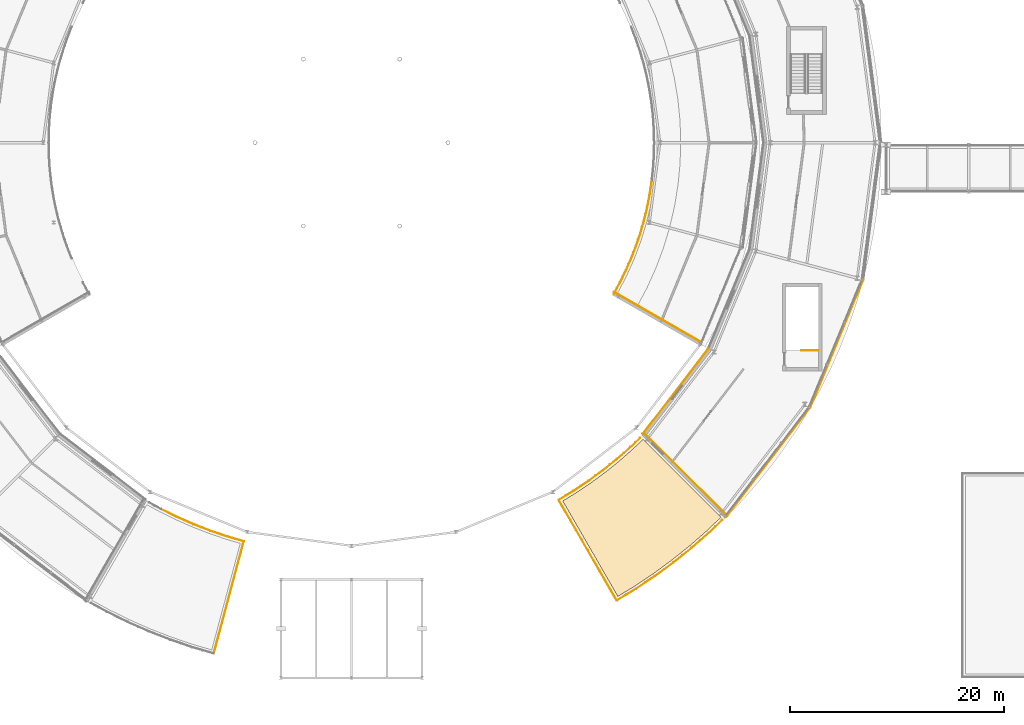
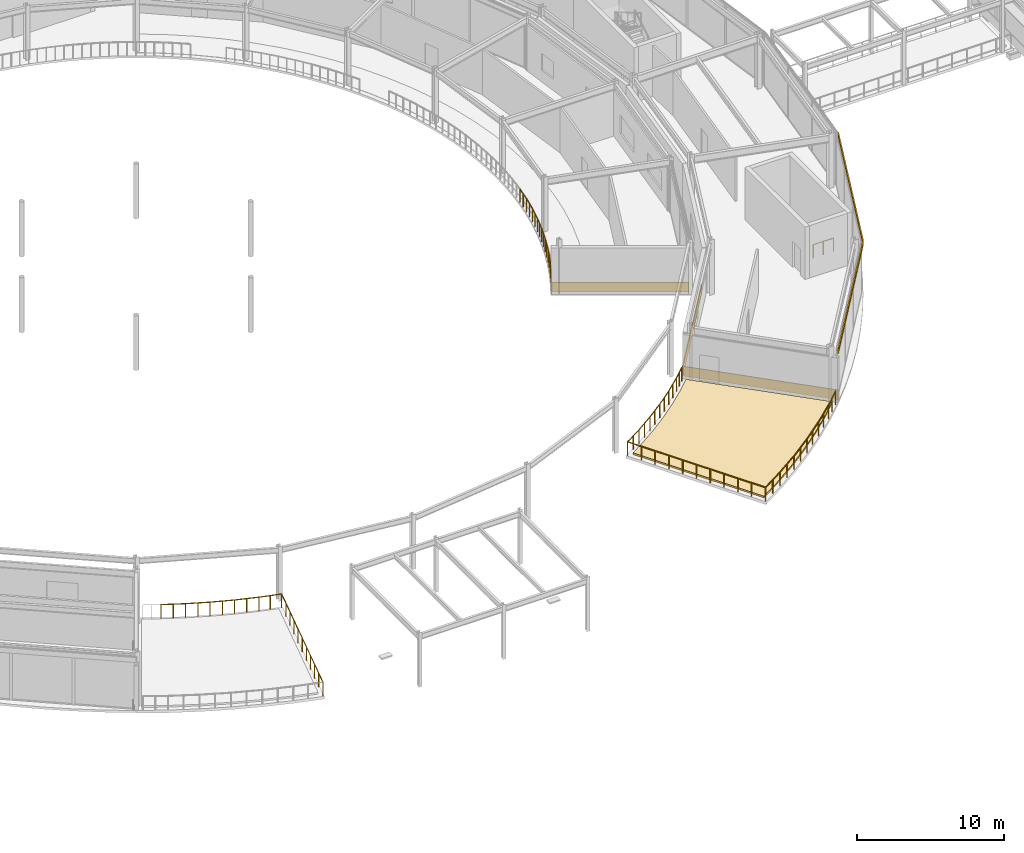
# One storey, part 139 of 157: 29 railings, 6 coverings.
"""IFC4 building model written with IfcOpenShell, lengths in metres."""

from ifc_helpers import new_model, si_unit, direction, frame, origin, origin_2d, place, context, subcontext, project, spatial, polyline, rectangle, circle, outline, extrude, material, layer, layer_set, type_object, element, save


model = new_model("IFC4")

# Units and contexts
model_context = context("Model", 3, precision=1e-05, world=origin(), true_north=direction((0.0, 1.0)))
body_context = subcontext(model_context, "Body", "Model", "MODEL_VIEW")
ifc_project = project(units=[si_unit("LENGTHUNIT", "METRE"), si_unit("AREAUNIT", "SQUARE_METRE"), si_unit("VOLUMEUNIT", "CUBIC_METRE"), si_unit("PLANEANGLEUNIT", "RADIAN"), si_unit("MASSUNIT", "GRAM", prefix="KILO")], contexts=[model_context])

# Site, building, storey
site_placement = place(None, origin())
site = spatial("IfcSite", under=ifc_project, at=site_placement, CompositionType="ELEMENT")
building_placement = place(site_placement, origin())
building = spatial("IfcBuilding", under=site, at=building_placement, Name="Almandine Court Research Institute", CompositionType="ELEMENT")
storey_placement = place(building_placement, frame((0.0, 0.0, 5.25)))
storey = spatial("IfcBuildingStorey", under=building, at=storey_placement, Name="L01", CompositionType="ELEMENT", Elevation=5.25)

# Coverings
ifc_material_1 = material(Name="Honed Andean Red-Buff Sandstone Cladding", Category="masonry")
ifc_layer_1 = layer(ifc_material_1, 0.06494140625)
ifc_layer_set_1 = layer_set([ifc_layer_1], Name="Honed Andean Red-Buff Sandstone Cladding")
covering_type_1 = type_object("IfcCoveringType", Name="Cov-CLAD-SAND", PredefinedType="CLADDING", material=ifc_layer_set_1)
covering_1_placement = place(storey_placement, frame((117.27001953125, 32.77294921875, 0.02001953125), z_axis=(0.0, 0.0, 1.0), x_axis=(0.608761429009, 0.793353340291, 0.0)))
element("IfcCovering", 1, at=covering_1_placement, inside=storey, type_object=covering_type_1, Name="L01 Facade Spandrel Cladding Band 297", PredefinedType="CLADDING", context=body_context, shape_type="SweptSolid", body=[
    extrude(rectangle(XDim=10.080078125, YDim=0.06494140625, at=origin_2d()), origin(), (0.0, 0.0, 1.0), 0.800048828125),
])
covering_2_placement = place(storey_placement, frame((118.237060546875, 25.010986328125, 0.02001953125), z_axis=(0.0, 0.0, 1.0), x_axis=(0.707106781187, -0.707106781187, 0.0)))
element("IfcCovering", 2, at=covering_2_placement, inside=storey, type_object=covering_type_1, Name="L01 Facade Spandrel Cladding Band 334", PredefinedType="CLADDING", context=body_context, shape_type="SweptSolid", body=[
    extrude(rectangle(XDim=10.951904296875, YDim=0.06494140625, at=origin_2d()), origin(), (0.0, 0.0, 1.0), 0.800048828125),
])
covering_3_placement = place(storey_placement, frame((115.60205078125, 39.68896484375, 0.02001953125), z_axis=(0.0, 0.0, 1.0), x_axis=(0.866025403784, -0.5, 0.0)))
element("IfcCovering", 3, at=covering_3_placement, inside=storey, type_object=covering_type_1, Name="L01 Facade Spandrel Cladding Band 452", PredefinedType="CLADDING", context=body_context, shape_type="SweptSolid", body=[
    extrude(rectangle(XDim=9.402099609375, YDim=0.06494140625, at=origin_2d()), origin(), (0.0, 0.0, 1.0), 0.800048828125),
])
ifc_material_2 = material(Name="Extruded Cream-Ochre Seismic Terracotta Spandrel", Category="masonry")
ifc_layer_2 = layer(ifc_material_2, 0.054931640625)
ifc_layer_set_2 = layer_set([ifc_layer_2], Name="Extruded Cream-Ochre Seismic Terracotta Spandrel")
covering_type_2 = type_object("IfcCoveringType", Name="Cov-CLAD-TERR", PredefinedType="CLADDING", material=ifc_layer_set_2)
for number, where, z_axis, x_axis, name in (
    (4, (125.919921875, 26.135009765625, 3.97998046875), (0.0, 0.0, 1.0), (-0.608761429009, -0.793353340291, 0.0), "L01 Drum Stacked Terracotta Ring Band 21"),
    (5, (132.323974609375, 37.22607421875, 3.97998046875), (0.0, 0.0, 1.0), (-0.382683432365, -0.923879532511, 0.0), "L01 Drum Stacked Terracotta Ring Band 22"),
):
    element("IfcCovering", number, at=place(storey_placement, frame(where, z_axis=z_axis, x_axis=x_axis)), inside=storey, type_object=covering_type_2, Name=name, PredefinedType="CLADDING", context=body_context, shape_type="SweptSolid", body=[
        extrude(rectangle(XDim=12.8779296875, YDim=0.054931640625, at=origin_2d()), origin(), (0.0, 0.0, 1.0), 0.419921875),
    ])
ifc_material_3 = material(Name="Extensive Andean Sedum Planted Green Roof Build-Up")
ifc_layer_3 = layer(ifc_material_3, 0.139892578125)
ifc_layer_set_3 = layer_set([ifc_layer_3], Name="Extensive Andean Sedum Planted Green Roof Build-Up")
covering_type_3 = type_object("IfcCoveringType", Name="Cov-ROOF-GREEN", PredefinedType="ROOFING", material=ifc_layer_set_3)
covering_4_placement = place(storey_placement, origin())
element("IfcCovering", 6, at=covering_4_placement, inside=storey, type_object=covering_type_3, Name="L01 Planted Green Roof Covering 10", PredefinedType="ROOFING", context=body_context, shape_type="SweptSolid", body=[
    extrude(outline(polyline([(111.8740234375, 13.616943359375), (106.72412109375, 22.535888671875), (107.8740234375, 23.23388671875), (109.283935546875, 24.176025390625), (110.64990234375, 25.177978515625), (111.971923828125, 26.239013671875), (113.24609375, 27.35693359375), (114.218994140625, 28.285888671875), (121.501953125, 21.0029296875), (120.2060546875, 19.762939453125), (118.593017578125, 18.34912109375), (116.9208984375, 17.007080078125), (115.19091796875, 15.739013671875), (113.407958984375, 14.547119140625), (111.8740234375, 13.616943359375)])), origin(), (0.0, 0.0, 1.0), 0.139892578125),
])

# Railings
ifc_material_4 = material(Name="Architectural Powder-Coated Aluminium Balustrade", Category="aluminium")
railing_type_1 = type_object("IfcRailingType", Name="Rail-BAL-EXT", PredefinedType="BALUSTRADE", material=ifc_material_4)
railing_1_placement = place(storey_placement, frame((111.778076171875, 13.242919921875, 0.0)))
element("IfcRailing", 7, at=railing_1_placement, inside=storey, type_object=railing_type_1, Name="L01 Terrace Perimeter Balustrade 024", PredefinedType="BALUSTRADE", context=body_context, shape_type="SweptSolid", body=[
    extrude(circle(Radius=0.02392578125, at=origin_2d()), frame((0.0, 0.0, 1.1259765625), z_axis=(-0.500041546612, 0.866001415508, 0.0), x_axis=(-0.866001415508, -0.500041546612, 0.0)), (0.0, 0.0, 1.0), 10.83935546875),
    extrude(circle(Radius=0.02099609375, at=origin_2d()), origin(), (0.0, 0.0, 1.0), 1.101806640625),
    extrude(circle(Radius=0.02099609375, at=origin_2d()), frame((-0.5419921875, 0.938720703125, 0.0)), (0.0, 0.0, 1.0), 1.101806640625),
    extrude(circle(Radius=0.02099609375, at=origin_2d()), frame((-1.083984375, 1.87744140625, 0.0)), (0.0, 0.0, 1.0), 1.101806640625),
    extrude(circle(Radius=0.02099609375, at=origin_2d()), frame((-1.6259765625, 2.816162109375, 0.0)), (0.0, 0.0, 1.0), 1.101806640625),
    extrude(circle(Radius=0.02099609375, at=origin_2d()), frame((-2.16796875, 3.7548828125, 0.0)), (0.0, 0.0, 1.0), 1.101806640625),
    extrude(circle(Radius=0.02099609375, at=origin_2d()), frame((-2.7099609375, 4.693359375, 0.0)), (0.0, 0.0, 1.0), 1.101806640625),
    extrude(circle(Radius=0.02099609375, at=origin_2d()), frame((-3.252197265625, 5.632080078125, 0.0)), (0.0, 0.0, 1.0), 1.101806640625),
    extrude(circle(Radius=0.02099609375, at=origin_2d()), frame((-3.794189453125, 6.57080078125, 0.0)), (0.0, 0.0, 1.0), 1.101806640625),
    extrude(circle(Radius=0.02099609375, at=origin_2d()), frame((-4.336181640625, 7.509521484375, 0.0)), (0.0, 0.0, 1.0), 1.101806640625),
    extrude(circle(Radius=0.02099609375, at=origin_2d()), frame((-4.878173828125, 8.4482421875, 0.0)), (0.0, 0.0, 1.0), 1.101806640625),
    extrude(circle(Radius=0.02099609375, at=origin_2d()), frame((-5.420166015625, 9.386962890625, 0.0)), (0.0, 0.0, 1.0), 1.101806640625),
])
railing_2_placement = place(storey_placement, frame((106.35791015625, 22.6298828125, 0.0)))
element("IfcRailing", 8, at=railing_2_placement, inside=storey, type_object=railing_type_1, Name="L01 Terrace Perimeter Balustrade 025", PredefinedType="BALUSTRADE", context=body_context, shape_type="SweptSolid", body=[
    extrude(circle(Radius=0.02392578125, at=origin_2d()), frame((0.0, 0.0, 1.1259765625), z_axis=(0.854903259764, 0.518787448233, 0.0), x_axis=(-0.518787448233, 0.854903259764, 0.0)), (0.0, 0.0, 1.0), 1.603759765625),
    extrude(circle(Radius=0.02099609375, at=origin_2d()), origin(), (0.0, 0.0, 1.0), 1.101806640625),
    extrude(circle(Radius=0.02099609375, at=origin_2d()), frame((0.685546875, 0.416015625, 0.0)), (0.0, 0.0, 1.0), 1.101806640625),
    extrude(circle(Radius=0.02099609375, at=origin_2d()), frame((1.37109375, 0.83203125, 0.0)), (0.0, 0.0, 1.0), 1.101806640625),
])
railing_3_placement = place(storey_placement, frame((107.72900390625, 23.4619140625, 0.0)))
element("IfcRailing", 9, at=railing_3_placement, inside=storey, type_object=railing_type_1, Name="L01 Terrace Perimeter Balustrade 026", PredefinedType="BALUSTRADE", context=body_context, shape_type="SweptSolid", body=[
    extrude(circle(Radius=0.02392578125, at=origin_2d()), frame((0.0, 0.0, 1.1259765625), z_axis=(0.831559123133, 0.555436247227, 0.0), x_axis=(-0.555436247227, 0.831559123133, 0.0)), (0.0, 0.0, 1.0), 1.683349609375),
    extrude(circle(Radius=0.02099609375, at=origin_2d()), origin(), (0.0, 0.0, 1.0), 1.101806640625),
    extrude(circle(Radius=0.02099609375, at=origin_2d()), frame((0.699951171875, 0.467529296875, 0.0)), (0.0, 0.0, 1.0), 1.101806640625),
    extrude(circle(Radius=0.02099609375, at=origin_2d()), frame((1.39990234375, 0.93505859375, 0.0)), (0.0, 0.0, 1.0), 1.101806640625),
])
railing_4_placement = place(storey_placement, frame((109.12890625, 24.39697265625, 0.0)))
element("IfcRailing", 10, at=railing_4_placement, inside=storey, type_object=railing_type_1, Name="L01 Terrace Perimeter Balustrade 027", PredefinedType="BALUSTRADE", context=body_context, shape_type="SweptSolid", body=[
    extrude(circle(Radius=0.02392578125, at=origin_2d()), frame((0.0, 0.0, 1.1259765625), z_axis=(0.806169797472, 0.591684255025, 0.0), x_axis=(-0.591684255025, 0.806169797472, 0.0)), (0.0, 0.0, 1.0), 1.68359375),
    extrude(circle(Radius=0.02099609375, at=origin_2d()), origin(), (0.0, 0.0, 1.0), 1.101806640625),
    extrude(circle(Radius=0.02099609375, at=origin_2d()), frame((0.6787109375, 0.498046875, 0.0)), (0.0, 0.0, 1.0), 1.101806640625),
    extrude(circle(Radius=0.02099609375, at=origin_2d()), frame((1.357177734375, 0.99609375, 0.0)), (0.0, 0.0, 1.0), 1.101806640625),
])
railing_5_placement = place(storey_placement, frame((110.486083984375, 25.39306640625, 0.0)))
element("IfcRailing", 11, at=railing_5_placement, inside=storey, type_object=railing_type_1, Name="L01 Terrace Perimeter Balustrade 028", PredefinedType="BALUSTRADE", context=body_context, shape_type="SweptSolid", body=[
    extrude(circle(Radius=0.02392578125, at=origin_2d()), frame((0.0, 0.0, 1.1259765625), z_axis=(0.779890929123, 0.625915440512, 0.0), x_axis=(-0.625915440512, 0.779890929123, 0.0)), (0.0, 0.0, 1.0), 1.682373046875),
    extrude(circle(Radius=0.02099609375, at=origin_2d()), origin(), (0.0, 0.0, 1.0), 1.101806640625),
    extrude(circle(Radius=0.02099609375, at=origin_2d()), frame((0.656005859375, 0.5263671875, 0.0)), (0.0, 0.0, 1.0), 1.101806640625),
    extrude(circle(Radius=0.02099609375, at=origin_2d()), frame((1.31201171875, 1.052978515625, 0.0)), (0.0, 0.0, 1.0), 1.101806640625),
])
railing_6_placement = place(storey_placement, frame((111.798095703125, 26.446044921875, 0.0)))
element("IfcRailing", 12, at=railing_6_placement, inside=storey, type_object=railing_type_1, Name="L01 Terrace Perimeter Balustrade 029", PredefinedType="BALUSTRADE", context=body_context, shape_type="SweptSolid", body=[
    extrude(circle(Radius=0.02392578125, at=origin_2d()), frame((0.0, 0.0, 1.1259765625), z_axis=(0.751920530231, 0.659253757074, 0.0), x_axis=(-0.659253757074, 0.751920530231, 0.0)), (0.0, 0.0, 1.0), 1.68359375),
    extrude(circle(Radius=0.02099609375, at=origin_2d()), origin(), (0.0, 0.0, 1.0), 1.101806640625),
    extrude(circle(Radius=0.02099609375, at=origin_2d()), frame((0.6328125, 0.554931640625, 0.0)), (0.0, 0.0, 1.0), 1.101806640625),
    extrude(circle(Radius=0.02099609375, at=origin_2d()), frame((1.265869140625, 1.10986328125, 0.0)), (0.0, 0.0, 1.0), 1.101806640625),
])
railing_7_placement = place(storey_placement, frame((113.06396484375, 27.555908203125, 0.0)))
element("IfcRailing", 13, at=railing_7_placement, inside=storey, type_object=railing_type_1, Name="L01 Terrace Perimeter Balustrade 030", PredefinedType="BALUSTRADE", context=body_context, shape_type="SweptSolid", body=[
    extrude(circle(Radius=0.02392578125, at=origin_2d()), frame((0.0, 0.0, 1.1259765625), z_axis=(0.72277086017, 0.691087753971, 0.0), x_axis=(-0.691087753971, 0.72277086017, 0.0)), (0.0, 0.0, 1.0), 1.23291015625),
    extrude(circle(Radius=0.02099609375, at=origin_2d()), origin(), (0.0, 0.0, 1.0), 1.101806640625),
    extrude(circle(Radius=0.02099609375, at=origin_2d()), frame((0.445556640625, 0.426025390625, 0.0)), (0.0, 0.0, 1.0), 1.101806640625),
    extrude(circle(Radius=0.02099609375, at=origin_2d()), frame((0.89111328125, 0.85205078125, 0.0)), (0.0, 0.0, 1.0), 1.101806640625),
])
railing_8_placement = place(storey_placement, frame((121.62109375, 20.742919921875, 0.0)))
element("IfcRailing", 14, at=railing_8_placement, inside=storey, type_object=railing_type_1, Name="L01 Terrace Perimeter Balustrade 031", PredefinedType="BALUSTRADE", context=body_context, shape_type="SweptSolid", body=[
    extrude(circle(Radius=0.02392578125, at=origin_2d()), frame((0.0, 0.0, 1.1259765625), z_axis=(-0.722812767445, -0.691043922786, 0.0), x_axis=(0.691043922786, -0.722812767445, 0.0)), (0.0, 0.0, 1.0), 1.7060546875),
    extrude(circle(Radius=0.02099609375, at=origin_2d()), origin(), (0.0, 0.0, 1.0), 1.101806640625),
    extrude(circle(Radius=0.02099609375, at=origin_2d()), frame((-0.61669921875, -0.58935546875, 0.0)), (0.0, 0.0, 1.0), 1.101806640625),
    extrude(circle(Radius=0.02099609375, at=origin_2d()), frame((-1.233154296875, -1.178955078125, 0.0)), (0.0, 0.0, 1.0), 1.101806640625),
])
railing_9_placement = place(storey_placement, frame((120.387939453125, 19.56396484375, 0.0)))
element("IfcRailing", 15, at=railing_9_placement, inside=storey, type_object=railing_type_1, Name="L01 Terrace Perimeter Balustrade 032", PredefinedType="BALUSTRADE", context=body_context, shape_type="SweptSolid", body=[
    extrude(circle(Radius=0.02392578125, at=origin_2d()), frame((0.0, 0.0, 1.1259765625), z_axis=(-0.751741386385, -0.659458025954, 0.0), x_axis=(0.659458025954, -0.751741386385, 0.0)), (0.0, 0.0, 1.0), 2.156005859375),
    extrude(circle(Radius=0.02099609375, at=origin_2d()), origin(), (0.0, 0.0, 1.0), 1.101806640625),
    extrude(circle(Radius=0.02099609375, at=origin_2d()), frame((-0.810546875, -0.7109375, 0.0)), (0.0, 0.0, 1.0), 1.101806640625),
    extrude(circle(Radius=0.02099609375, at=origin_2d()), frame((-1.620849609375, -1.421875, 0.0)), (0.0, 0.0, 1.0), 1.101806640625),
])
railing_10_placement = place(storey_placement, frame((118.76708984375, 18.14208984375, 0.0)))
element("IfcRailing", 16, at=railing_10_placement, inside=storey, type_object=railing_type_1, Name="L01 Terrace Perimeter Balustrade 033", PredefinedType="BALUSTRADE", context=body_context, shape_type="SweptSolid", body=[
    extrude(circle(Radius=0.02392578125, at=origin_2d()), frame((0.0, 0.0, 1.1259765625), z_axis=(-0.779873964339, -0.625936578054, 0.0), x_axis=(0.625936578054, -0.779873964339, 0.0)), (0.0, 0.0, 1.0), 2.156982421875),
    extrude(circle(Radius=0.02099609375, at=origin_2d()), origin(), (0.0, 0.0, 1.0), 1.101806640625),
    extrude(circle(Radius=0.02099609375, at=origin_2d()), frame((-0.841064453125, -0.675048828125, 0.0)), (0.0, 0.0, 1.0), 1.101806640625),
    extrude(circle(Radius=0.02099609375, at=origin_2d()), frame((-1.68212890625, -1.35009765625, 0.0)), (0.0, 0.0, 1.0), 1.101806640625),
])
railing_11_placement = place(storey_placement, frame((117.0849609375, 16.7919921875, 0.0)))
element("IfcRailing", 17, at=railing_11_placement, inside=storey, type_object=railing_type_1, Name="L01 Terrace Perimeter Balustrade 034", PredefinedType="BALUSTRADE", context=body_context, shape_type="SweptSolid", body=[
    extrude(circle(Radius=0.02392578125, at=origin_2d()), frame((0.0, 0.0, 1.1259765625), z_axis=(-0.806703737756, -0.590956072387, 0.0), x_axis=(0.590956072387, -0.806703737756, 0.0)), (0.0, 0.0, 1.0), 2.15576171875),
    extrude(circle(Radius=0.02099609375, at=origin_2d()), origin(), (0.0, 0.0, 1.0), 1.101806640625),
    extrude(circle(Radius=0.02099609375, at=origin_2d()), frame((-0.86962890625, -0.636962890625, 0.0)), (0.0, 0.0, 1.0), 1.101806640625),
    extrude(circle(Radius=0.02099609375, at=origin_2d()), frame((-1.739013671875, -1.27392578125, 0.0)), (0.0, 0.0, 1.0), 1.101806640625),
])
railing_12_placement = place(storey_placement, frame((115.345947265625, 15.51806640625, 0.0)))
element("IfcRailing", 18, at=railing_12_placement, inside=storey, type_object=railing_type_1, Name="L01 Terrace Perimeter Balustrade 035", PredefinedType="BALUSTRADE", context=body_context, shape_type="SweptSolid", body=[
    extrude(circle(Radius=0.02392578125, at=origin_2d()), frame((0.0, 0.0, 1.1259765625), z_axis=(-0.831265842428, -0.555875075186, 0.0), x_axis=(0.555875075186, -0.831265842428, 0.0)), (0.0, 0.0, 1.0), 2.156982421875),
    extrude(circle(Radius=0.02099609375, at=origin_2d()), origin(), (0.0, 0.0, 1.0), 1.101806640625),
    extrude(circle(Radius=0.02099609375, at=origin_2d()), frame((-0.896484375, -0.599609375, 0.0)), (0.0, 0.0, 1.0), 1.101806640625),
    extrude(circle(Radius=0.02099609375, at=origin_2d()), frame((-1.79296875, -1.198974609375, 0.0)), (0.0, 0.0, 1.0), 1.101806640625),
])
railing_13_placement = place(storey_placement, frame((113.552978515625, 14.319091796875, 0.0)))
element("IfcRailing", 19, at=railing_13_placement, inside=storey, type_object=railing_type_1, Name="L01 Terrace Perimeter Balustrade 036", PredefinedType="BALUSTRADE", context=body_context, shape_type="SweptSolid", body=[
    extrude(circle(Radius=0.02392578125, at=origin_2d()), frame((0.0, 0.0, 1.1259765625), z_axis=(-0.855096704819, -0.518468538493, 0.0), x_axis=(0.518468538493, -0.855096704819, 0.0)), (0.0, 0.0, 1.0), 2.07568359375),
    extrude(circle(Radius=0.02099609375, at=origin_2d()), origin(), (0.0, 0.0, 1.0), 1.101806640625),
    extrude(circle(Radius=0.02099609375, at=origin_2d()), frame((-0.887451171875, -0.5380859375, 0.0)), (0.0, 0.0, 1.0), 1.101806640625),
    extrude(circle(Radius=0.02099609375, at=origin_2d()), frame((-1.77490234375, -1.076171875, 0.0)), (0.0, 0.0, 1.0), 1.101806640625),
])
railing_14_placement = place(storey_placement, frame((69.18603515625, 21.779052734375, 0.0)))
element("IfcRailing", 20, at=railing_14_placement, inside=storey, type_object=railing_type_1, Name="L01 Terrace Perimeter Balustrade 038", PredefinedType="BALUSTRADE", context=body_context, shape_type="SweptSolid", body=[
    extrude(circle(Radius=0.02392578125, at=origin_2d()), frame((0.0, 0.0, 1.1259765625), z_axis=(0.89665004033, -0.442739997264, 0.0), x_axis=(0.442739997264, 0.89665004033, 0.0)), (0.0, 0.0, 1.0), 1.682861328125),
    extrude(circle(Radius=0.02099609375, at=origin_2d()), origin(), (0.0, 0.0, 1.0), 1.101806640625),
    extrude(circle(Radius=0.02099609375, at=origin_2d()), frame((0.75439453125, -0.37255859375, 0.0)), (0.0, 0.0, 1.0), 1.101806640625),
    extrude(circle(Radius=0.02099609375, at=origin_2d()), frame((1.509033203125, -0.7451171875, 0.0)), (0.0, 0.0, 1.0), 1.101806640625),
])
railing_15_placement = place(storey_placement, frame((70.695068359375, 21.033935546875, 0.0)))
element("IfcRailing", 21, at=railing_15_placement, inside=storey, type_object=railing_type_1, Name="L01 Terrace Perimeter Balustrade 039", PredefinedType="BALUSTRADE", context=body_context, shape_type="SweptSolid", body=[
    extrude(circle(Radius=0.02392578125, at=origin_2d()), frame((0.0, 0.0, 1.1259765625), z_axis=(0.91554373403, -0.402218437019, 0.0), x_axis=(0.402218437019, 0.91554373403, 0.0)), (0.0, 0.0, 1.0), 1.68310546875),
    extrude(circle(Radius=0.02099609375, at=origin_2d()), origin(), (0.0, 0.0, 1.0), 1.101806640625),
    extrude(circle(Radius=0.02099609375, at=origin_2d()), frame((0.7705078125, -0.33837890625, 0.0)), (0.0, 0.0, 1.0), 1.101806640625),
    extrude(circle(Radius=0.02099609375, at=origin_2d()), frame((1.541015625, -0.677001953125, 0.0)), (0.0, 0.0, 1.0), 1.101806640625),
])
railing_16_placement = place(storey_placement, frame((72.236083984375, 20.35693359375, 0.0)))
element("IfcRailing", 22, at=railing_16_placement, inside=storey, type_object=railing_type_1, Name="L01 Terrace Perimeter Balustrade 040", PredefinedType="BALUSTRADE", context=body_context, shape_type="SweptSolid", body=[
    extrude(circle(Radius=0.02392578125, at=origin_2d()), frame((0.0, 0.0, 1.1259765625), z_axis=(0.93205365917, -0.362320267757, 0.0), x_axis=(0.362320267757, 0.93205365917, 0.0)), (0.0, 0.0, 1.0), 1.68310546875),
    extrude(circle(Radius=0.02099609375, at=origin_2d()), origin(), (0.0, 0.0, 1.0), 1.101806640625),
    extrude(circle(Radius=0.02099609375, at=origin_2d()), frame((0.784423828125, -0.304931640625, 0.0)), (0.0, 0.0, 1.0), 1.101806640625),
    extrude(circle(Radius=0.02099609375, at=origin_2d()), frame((1.56884765625, -0.60986328125, 0.0)), (0.0, 0.0, 1.0), 1.101806640625),
])
railing_17_placement = place(storey_placement, frame((73.804931640625, 19.7470703125, 0.0)))
element("IfcRailing", 23, at=railing_17_placement, inside=storey, type_object=railing_type_1, Name="L01 Terrace Perimeter Balustrade 041", PredefinedType="BALUSTRADE", context=body_context, shape_type="SweptSolid", body=[
    extrude(circle(Radius=0.02392578125, at=origin_2d()), frame((0.0, 0.0, 1.1259765625), z_axis=(0.94694323381, -0.32140085865, 0.0), x_axis=(0.32140085865, 0.94694323381, 0.0)), (0.0, 0.0, 1.0), 1.683349609375),
    extrude(circle(Radius=0.02099609375, at=origin_2d()), origin(), (0.0, 0.0, 1.0), 1.101806640625),
    extrude(circle(Radius=0.02099609375, at=origin_2d()), frame((0.796875, -0.2705078125, 0.0)), (0.0, 0.0, 1.0), 1.101806640625),
    extrude(circle(Radius=0.02099609375, at=origin_2d()), frame((1.593994140625, -0.541015625, 0.0)), (0.0, 0.0, 1.0), 1.101806640625),
])
railing_18_placement = place(storey_placement, frame((75.39892578125, 19.2060546875, 0.0)))
element("IfcRailing", 24, at=railing_18_placement, inside=storey, type_object=railing_type_1, Name="L01 Terrace Perimeter Balustrade 042", PredefinedType="BALUSTRADE", context=body_context, shape_type="SweptSolid", body=[
    extrude(circle(Radius=0.02392578125, at=origin_2d()), frame((0.0, 0.0, 1.1259765625), z_axis=(0.959938540825, -0.280210631203, 0.0), x_axis=(0.280210631203, 0.959938540825, 0.0)), (0.0, 0.0, 1.0), 1.602294921875),
    extrude(circle(Radius=0.02099609375, at=origin_2d()), origin(), (0.0, 0.0, 1.0), 1.101806640625),
    extrude(circle(Radius=0.02099609375, at=origin_2d()), frame((0.76904296875, -0.224609375, 0.0)), (0.0, 0.0, 1.0), 1.101806640625),
    extrude(circle(Radius=0.02099609375, at=origin_2d()), frame((1.5380859375, -0.448974609375, 0.0)), (0.0, 0.0, 1.0), 1.101806640625),
])
railing_19_placement = place(storey_placement, frame((76.93701171875, 18.757080078125, 0.0)))
element("IfcRailing", 25, at=railing_19_placement, inside=storey, type_object=railing_type_1, Name="L01 Terrace Perimeter Balustrade 043", PredefinedType="BALUSTRADE", context=body_context, shape_type="SweptSolid", body=[
    extrude(circle(Radius=0.02392578125, at=origin_2d()), frame((0.0, 0.0, 1.1259765625), z_axis=(-0.258776991221, -0.965937093612, 0.0), x_axis=(0.965937093612, -0.258776991221, 0.0)), (0.0, 0.0, 1.0), 10.839111328125),
    extrude(circle(Radius=0.02099609375, at=origin_2d()), origin(), (0.0, 0.0, 1.0), 1.101806640625),
    extrude(circle(Radius=0.02099609375, at=origin_2d()), frame((-0.280517578125, -1.046875, 0.0)), (0.0, 0.0, 1.0), 1.101806640625),
    extrude(circle(Radius=0.02099609375, at=origin_2d()), frame((-0.56103515625, -2.093994140625, 0.0)), (0.0, 0.0, 1.0), 1.101806640625),
    extrude(circle(Radius=0.02099609375, at=origin_2d()), frame((-0.841552734375, -3.14111328125, 0.0)), (0.0, 0.0, 1.0), 1.101806640625),
    extrude(circle(Radius=0.02099609375, at=origin_2d()), frame((-1.1220703125, -4.18798828125, 0.0)), (0.0, 0.0, 1.0), 1.101806640625),
    extrude(circle(Radius=0.02099609375, at=origin_2d()), frame((-1.40234375, -5.23486328125, 0.0)), (0.0, 0.0, 1.0), 1.101806640625),
    extrude(circle(Radius=0.02099609375, at=origin_2d()), frame((-1.682861328125, -6.281982421875, 0.0)), (0.0, 0.0, 1.0), 1.101806640625),
    extrude(circle(Radius=0.02099609375, at=origin_2d()), frame((-1.96337890625, -7.328857421875, 0.0)), (0.0, 0.0, 1.0), 1.101806640625),
    extrude(circle(Radius=0.02099609375, at=origin_2d()), frame((-2.243896484375, -8.3759765625, 0.0)), (0.0, 0.0, 1.0), 1.101806640625),
    extrude(circle(Radius=0.02099609375, at=origin_2d()), frame((-2.5244140625, -9.4228515625, 0.0)), (0.0, 0.0, 1.0), 1.101806640625),
    extrude(circle(Radius=0.02099609375, at=origin_2d()), frame((-2.804931640625, -10.469970703125, 0.0)), (0.0, 0.0, 1.0), 1.101806640625),
])
ifc_material_5 = material(Name="Powder-Coated Steel Stair and Atrium Balustrade", Category="steel")
railing_type_2 = type_object("IfcRailingType", Name="Rail-GUARD-INT", PredefinedType="BALUSTRADE", material=ifc_material_5)
railing_20_placement = place(storey_placement, frame((130.60009765625, 36.60009765625, 0.0)))
element("IfcRailing", 26, at=railing_20_placement, inside=storey, type_object=railing_type_2, Name="L01 ST-16 top well guard 1", PredefinedType="BALUSTRADE", context=body_context, shape_type="SweptSolid", body=[
    extrude(circle(Radius=0.02392578125, at=origin_2d()), frame((0.0, 0.0, 1.09619140625), z_axis=(-1.0, 0.0, 0.0), x_axis=(0.0, -1.0, 0.0)), (0.0, 0.0, 1.0), 1.580078125),
    extrude(circle(Radius=0.02099609375, at=origin_2d()), origin(), (0.0, 0.0, 1.0), 1.072021484375),
    extrude(circle(Radius=0.02099609375, at=origin_2d()), frame((-0.7900390625, 0.0, 0.0)), (0.0, 0.0, 1.0), 1.072021484375),
    extrude(circle(Radius=0.02099609375, at=origin_2d()), frame((-1.580078125, 0.0, 0.0)), (0.0, 0.0, 1.0), 1.072021484375),
])
railing_21_placement = place(storey_placement, frame((111.490966796875, 41.860107421875, 0.0)))
element("IfcRailing", 27, at=railing_21_placement, inside=storey, type_object=railing_type_2, Name="L01 Atrium Gallery Void Balustrade 001", PredefinedType="BALUSTRADE", context=body_context, shape_type="SweptSolid", body=[
    extrude(circle(Radius=0.02392578125, at=origin_2d()), frame((0.0, 0.0, 1.09619140625), z_axis=(0.481303518995, 0.876554004385, 0.0), x_axis=(-0.876554004385, 0.481303518995, 0.0)), (0.0, 0.0, 1.0), 1.234130859375),
    extrude(circle(Radius=0.02099609375, at=origin_2d()), origin(), (0.0, 0.0, 1.0), 1.072021484375),
    extrude(circle(Radius=0.02099609375, at=origin_2d()), frame((0.296875, 0.541015625, 0.0)), (0.0, 0.0, 1.0), 1.072021484375),
    extrude(circle(Radius=0.02099609375, at=origin_2d()), frame((0.593994140625, 1.081787109375, 0.0)), (0.0, 0.0, 1.0), 1.072021484375),
])
railing_22_placement = place(storey_placement, frame((112.0849609375, 42.94189453125, 0.0)))
element("IfcRailing", 28, at=railing_22_placement, inside=storey, type_object=railing_type_2, Name="L01 Atrium Gallery Void Balustrade 002", PredefinedType="BALUSTRADE", context=body_context, shape_type="SweptSolid", body=[
    extrude(circle(Radius=0.02392578125, at=origin_2d()), frame((0.0, 0.0, 1.09619140625), z_axis=(0.441899761476, 0.897064435148, 0.0), x_axis=(-0.897064435148, 0.441899761476, 0.0)), (0.0, 0.0, 1.0), 1.233154296875),
    extrude(circle(Radius=0.02099609375, at=origin_2d()), origin(), (0.0, 0.0, 1.0), 1.072021484375),
    extrude(circle(Radius=0.02099609375, at=origin_2d()), frame((0.2724609375, 0.55322265625, 0.0)), (0.0, 0.0, 1.0), 1.072021484375),
    extrude(circle(Radius=0.02099609375, at=origin_2d()), frame((0.544921875, 1.106201171875, 0.0)), (0.0, 0.0, 1.0), 1.072021484375),
])
railing_23_placement = place(storey_placement, frame((112.6298828125, 44.048095703125, 0.0)))
element("IfcRailing", 29, at=railing_23_placement, inside=storey, type_object=railing_type_2, Name="L01 Atrium Gallery Void Balustrade 003", PredefinedType="BALUSTRADE", context=body_context, shape_type="SweptSolid", body=[
    extrude(circle(Radius=0.02392578125, at=origin_2d()), frame((0.0, 0.0, 1.09619140625), z_axis=(0.402685588736, 0.915338361823, 0.0), x_axis=(-0.915338361823, 0.402685588736, 0.0)), (0.0, 0.0, 1.0), 1.234375),
    extrude(circle(Radius=0.02099609375, at=origin_2d()), origin(), (0.0, 0.0, 1.0), 1.072021484375),
    extrude(circle(Radius=0.02099609375, at=origin_2d()), frame((0.24853515625, 0.56494140625, 0.0)), (0.0, 0.0, 1.0), 1.072021484375),
    extrude(circle(Radius=0.02099609375, at=origin_2d()), frame((0.4970703125, 1.1298828125, 0.0)), (0.0, 0.0, 1.0), 1.072021484375),
])
railing_24_placement = place(storey_placement, frame((113.126953125, 45.177978515625, 0.0)))
element("IfcRailing", 30, at=railing_24_placement, inside=storey, type_object=railing_type_2, Name="L01 Atrium Gallery Void Balustrade 004", PredefinedType="BALUSTRADE", context=body_context, shape_type="SweptSolid", body=[
    extrude(circle(Radius=0.02392578125, at=origin_2d()), frame((0.0, 0.0, 1.09619140625), z_axis=(0.363018999562, 0.931781737295, 0.0), x_axis=(-0.931781737295, 0.363018999562, 0.0)), (0.0, 0.0, 1.0), 1.234130859375),
    extrude(circle(Radius=0.02099609375, at=origin_2d()), origin(), (0.0, 0.0, 1.0), 1.072021484375),
    extrude(circle(Radius=0.02099609375, at=origin_2d()), frame((0.22412109375, 0.574951171875, 0.0)), (0.0, 0.0, 1.0), 1.072021484375),
    extrude(circle(Radius=0.02099609375, at=origin_2d()), frame((0.447998046875, 1.14990234375, 0.0)), (0.0, 0.0, 1.0), 1.072021484375),
])
railing_25_placement = place(storey_placement, frame((113.574951171875, 46.327880859375, 0.0)))
element("IfcRailing", 31, at=railing_25_placement, inside=storey, type_object=railing_type_2, Name="L01 Atrium Gallery Void Balustrade 005", PredefinedType="BALUSTRADE", context=body_context, shape_type="SweptSolid", body=[
    extrude(circle(Radius=0.02392578125, at=origin_2d()), frame((0.0, 0.0, 1.09619140625), z_axis=(0.321033263354, 0.947067919328, 0.0), x_axis=(-0.947067919328, 0.321033263354, 0.0)), (0.0, 0.0, 1.0), 1.2333984375),
    extrude(circle(Radius=0.02099609375, at=origin_2d()), origin(), (0.0, 0.0, 1.0), 1.072021484375),
    extrude(circle(Radius=0.02099609375, at=origin_2d()), frame((0.197998046875, 0.583984375, 0.0)), (0.0, 0.0, 1.0), 1.072021484375),
    extrude(circle(Radius=0.02099609375, at=origin_2d()), frame((0.39599609375, 1.168212890625, 0.0)), (0.0, 0.0, 1.0), 1.072021484375),
])
railing_26_placement = place(storey_placement, frame((113.970947265625, 47.49609375, 0.0)))
element("IfcRailing", 32, at=railing_26_placement, inside=storey, type_object=railing_type_2, Name="L01 Atrium Gallery Void Balustrade 006", PredefinedType="BALUSTRADE", context=body_context, shape_type="SweptSolid", body=[
    extrude(circle(Radius=0.02392578125, at=origin_2d()), frame((0.0, 0.0, 1.09619140625), z_axis=(0.279551737055, 0.960130629815, 0.0), x_axis=(-0.960130629815, 0.279551737055, 0.0)), (0.0, 0.0, 1.0), 1.234130859375),
    extrude(circle(Radius=0.02099609375, at=origin_2d()), origin(), (0.0, 0.0, 1.0), 1.072021484375),
    extrude(circle(Radius=0.02099609375, at=origin_2d()), frame((0.17236328125, 0.59228515625, 0.0)), (0.0, 0.0, 1.0), 1.072021484375),
    extrude(circle(Radius=0.02099609375, at=origin_2d()), frame((0.344970703125, 1.184814453125, 0.0)), (0.0, 0.0, 1.0), 1.072021484375),
])
railing_27_placement = place(storey_placement, frame((114.31591796875, 48.680908203125, 0.0)))
element("IfcRailing", 33, at=railing_27_placement, inside=storey, type_object=railing_type_2, Name="L01 Atrium Gallery Void Balustrade 007", PredefinedType="BALUSTRADE", context=body_context, shape_type="SweptSolid", body=[
    extrude(circle(Radius=0.02392578125, at=origin_2d()), frame((0.0, 0.0, 1.09619140625), z_axis=(0.238482165634, 0.971146876983, 0.0), x_axis=(-0.971146876983, 0.238482165634, 0.0)), (0.0, 0.0, 1.0), 1.233642578125),
    extrude(circle(Radius=0.02099609375, at=origin_2d()), origin(), (0.0, 0.0, 1.0), 1.072021484375),
    extrude(circle(Radius=0.02099609375, at=origin_2d()), frame((0.14697265625, 0.59912109375, 0.0)), (0.0, 0.0, 1.0), 1.072021484375),
    extrude(circle(Radius=0.02099609375, at=origin_2d()), frame((0.294189453125, 1.197998046875, 0.0)), (0.0, 0.0, 1.0), 1.072021484375),
])
railing_28_placement = place(storey_placement, frame((114.610107421875, 49.87890625, 0.0)))
element("IfcRailing", 34, at=railing_28_placement, inside=storey, type_object=railing_type_2, Name="L01 Atrium Gallery Void Balustrade 008", PredefinedType="BALUSTRADE", context=body_context, shape_type="SweptSolid", body=[
    extrude(circle(Radius=0.02392578125, at=origin_2d()), frame((0.0, 0.0, 1.09619140625), z_axis=(0.194517600272, 0.980899028027, 0.0), x_axis=(-0.980899028027, 0.194517600272, 0.0)), (0.0, 0.0, 1.0), 1.23388671875),
    extrude(circle(Radius=0.02099609375, at=origin_2d()), origin(), (0.0, 0.0, 1.0), 1.072021484375),
    extrude(circle(Radius=0.02099609375, at=origin_2d()), frame((0.1201171875, 0.60498046875, 0.0)), (0.0, 0.0, 1.0), 1.072021484375),
    extrude(circle(Radius=0.02099609375, at=origin_2d()), frame((0.239990234375, 1.210205078125, 0.0)), (0.0, 0.0, 1.0), 1.072021484375),
])
railing_29_placement = place(storey_placement, frame((114.85009765625, 51.089111328125, 0.0)))
element("IfcRailing", 35, at=railing_29_placement, inside=storey, type_object=railing_type_2, Name="L01 Atrium Gallery Void Balustrade 009", PredefinedType="BALUSTRADE", context=body_context, shape_type="SweptSolid", body=[
    extrude(circle(Radius=0.02392578125, at=origin_2d()), frame((0.0, 0.0, 1.09619140625), z_axis=(0.152294979987, 0.988335084408, 0.0), x_axis=(-0.988335084408, 0.152294979987, 0.0)), (0.0, 0.0, 1.0), 1.234375),
    extrude(circle(Radius=0.02099609375, at=origin_2d()), origin(), (0.0, 0.0, 1.0), 1.072021484375),
    extrude(circle(Radius=0.02099609375, at=origin_2d()), frame((0.093994140625, 0.60986328125, 0.0)), (0.0, 0.0, 1.0), 1.072021484375),
    extrude(circle(Radius=0.02099609375, at=origin_2d()), frame((0.18798828125, 1.219970703125, 0.0)), (0.0, 0.0, 1.0), 1.072021484375),
])

save(model, "model.ifc")
